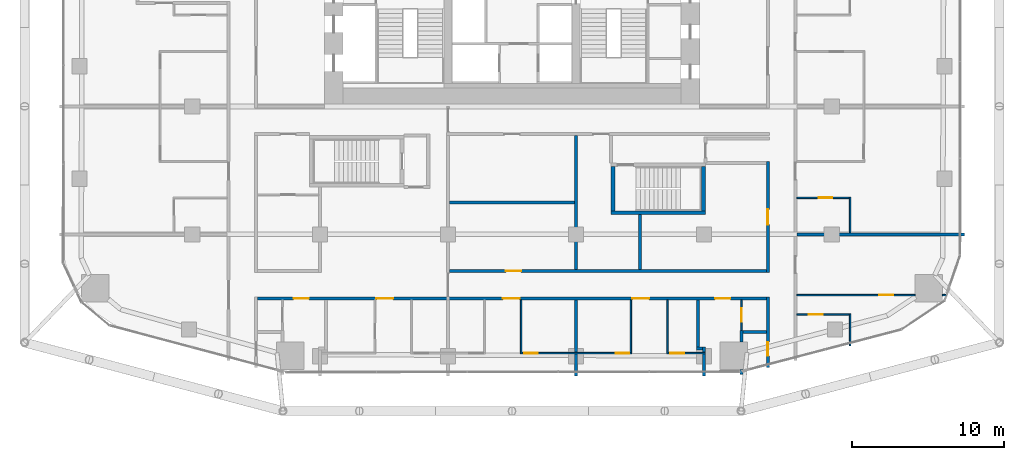
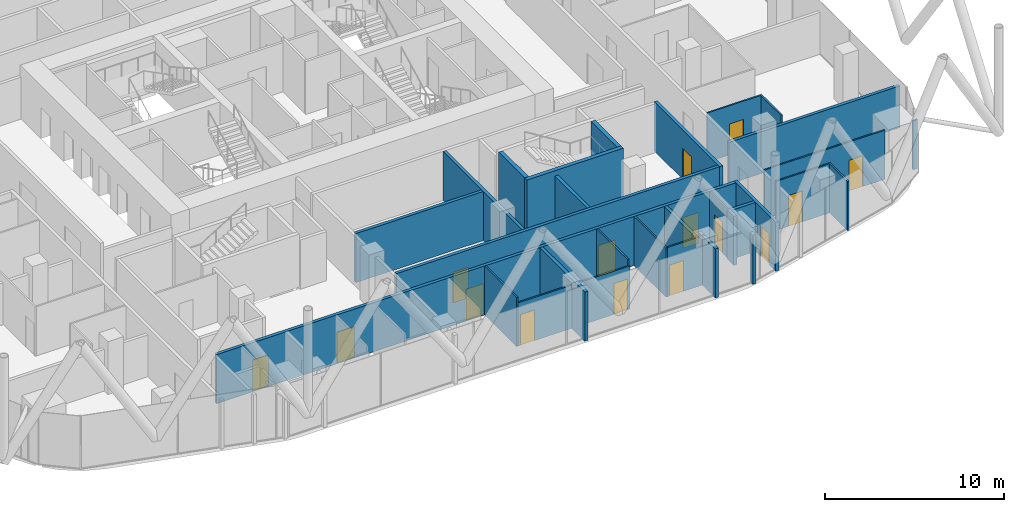
# One storey, part 26 of 34: 30 walls, 15 doors, 15 openings.
"""IFC4 building model written with IfcOpenShell, lengths in metres."""

from ifc_helpers import new_model, si_unit, direction, frame, frame_2d, origin, place, context, subcontext, project, spatial, rectangle, extrude, material, layer, layer_set, type_object, element, fill, save


model = new_model("IFC4")

# Units and contexts
model_context = context("Model", 3, precision=1e-05, world=origin(), true_north=direction((0.0, 1.0)))
body_context = subcontext(model_context, "Body", "Model", "MODEL_VIEW")
ifc_project = project(units=[si_unit("LENGTHUNIT", "METRE"), si_unit("AREAUNIT", "SQUARE_METRE"), si_unit("VOLUMEUNIT", "CUBIC_METRE"), si_unit("PLANEANGLEUNIT", "RADIAN"), si_unit("MASSUNIT", "GRAM", prefix="KILO")], contexts=[model_context])

# Site, building, storey
site_placement = place(None, origin())
site = spatial("IfcSite", under=ifc_project, at=site_placement, CompositionType="ELEMENT")
building_placement = place(site_placement, origin())
building = spatial("IfcBuilding", under=site, at=building_placement, Name="Marenta Gate Hotel Tower", CompositionType="ELEMENT")
storey_placement = place(building_placement, frame((0.0, 0.0, 47.300048828125)))
storey = spatial("IfcBuildingStorey", under=building, at=storey_placement, Name="L09", CompositionType="ELEMENT", Elevation=47.300048828125)

# Walls
ifc_material_1 = material(Name="Concrete C40", Category="concrete")
ifc_layer_1 = layer(ifc_material_1, 0.25)
ifc_layer_set_1 = layer_set([ifc_layer_1], Name="Concrete C40")
wall_type_1 = type_object("IfcWallType", Name="Remote stair enclosure wall 250 REI 180", PredefinedType="SHEAR", material=ifc_layer_set_1)
wall_1_placement = place(storey_placement, frame((6.5, -6.97509765625, 0.099853515625), z_axis=(0.0, 0.0, 1.0), x_axis=(1.0, 0.0, 0.0)))
element("IfcWall", 1, at=wall_1_placement, inside=storey, type_object=wall_type_1, Name="L09-RS-Z1-1-W1", PredefinedType="SHEAR", context=body_context, shape_type="SweptSolid", body=[
    extrude(rectangle(XDim=6.199951171875, YDim=0.25, at=frame_2d((3.10009765625, 0.0))), origin(), (0.0, 0.0, 1.0), 3.60009765625),
])
for number, where, z_axis, x_axis, name in (
    (2, (6.625, -6.85009765625, 0.099853515625), (0.0, 0.0, 1.0), (0.0, 1.0, 0.0), "L09-RS-Z1-1-W3"),
    (3, (12.574951171875, -6.85009765625, 0.099853515625), (0.0, 0.0, 1.0), (0.0, 1.0, 0.0), "L09-RS-Z1-1-W4"),
):
    element("IfcWall", number, at=place(storey_placement, frame(where, z_axis=z_axis, x_axis=x_axis)), inside=storey, type_object=wall_type_1, Name=name, PredefinedType="SHEAR", context=body_context, shape_type="SweptSolid", body=[
        extrude(rectangle(XDim=2.900146484375, YDim=0.25, at=frame_2d((1.4501953125, 0.0))), origin(), (0.0, 0.0, 1.0), 3.60009765625),
    ])

# Wall, opening, door
ifc_material_2 = material(Name="Concrete blockwork", Category="masonry")
ifc_layer_2 = layer(ifc_material_2, 0.199951171875)
ifc_layer_set_2 = layer_set([ifc_layer_2], Name="Concrete blockwork")
wall_type_2 = type_object("IfcWallType", Name="Room corridor wall 200 EI 120", PredefinedType="PARTITIONING", material=ifc_layer_set_2)
wall_2_placement = place(storey_placement, frame((16.800048828125, -17.14306640625, 0.0), z_axis=(0.0, 0.0, 1.0), x_axis=(0.0, 1.0, 0.0)))
wall_2 = element("IfcWall", 4, at=wall_2_placement, inside=storey, type_object=wall_type_2, Name="L09-PTN-W012", PredefinedType="PARTITIONING", context=body_context, shape_type="SweptSolid", body=[
    extrude(rectangle(XDim=4.64306640625, YDim=0.199951171875, at=frame_2d((2.321533203125, 0.0))), origin(), (0.0, 0.0, 1.0), 3.33984375),
])
opening_1_placement = place(wall_2_placement, frame((0.77099609375, 0.0, 0.0)))
opening_1 = element("IfcOpeningElement", 5, at=opening_1_placement, cuts=wall_2, Name="Opening G03-75", PredefinedType="OPENING", context=body_context, shape_type="SweptSolid", body=[
    extrude(rectangle(XDim=0.89990234375, YDim=2.10009765625, at=frame_2d((0.449951171875, 1.050048828125))), frame((0.0, 0.10009765625, 0.0), z_axis=(0.0, -1.0, 0.0), x_axis=(1.0, 0.0, 0.0)), (0.0, 0.0, 1.0), 0.199951171875),
])
ifc_material_3 = material(Name="Hollow steel door set", Category="steel")
door_type_1 = type_object("IfcDoorType", Name="Room service door 900x2100 EI 60", OperationType="NOTDEFINED", PredefinedType="DOOR", material=ifc_material_3)
door_1_placement = place(opening_1_placement, origin())
door_1 = element("IfcDoor", 6, at=door_1_placement, inside=storey, type_object=door_type_1, Name="L09-PD-D075", OperationType="SINGLE_SWING_RIGHT", OverallHeight=2.10009765625, OverallWidth=0.89990234375, PredefinedType="DOOR", context=body_context, shape_type="SweptSolid", body=[
    extrude(rectangle(XDim=0.89990234375, YDim=2.10009765625, at=frame_2d((0.449951171875, 1.050048828125))), frame((0.0, 0.02490234375, 0.0), z_axis=(0.0, -1.0, 0.0), x_axis=(1.0, 0.0, 0.0)), (0.0, 0.0, 1.0), 0.050048828125),
])
fill(opening_1, door_1)

ifc_material_4 = material(Name="Gypsum board on steel stud", Category="steel")
ifc_layer_3 = layer(ifc_material_4, 0.199951171875)
ifc_layer_set_3 = layer_set([ifc_layer_3], Name="Gypsum board on steel stud")
wall_type_3 = type_object("IfcWallType", Name="Room corridor wall 200 EI 60", PredefinedType="PARTITIONING", material=ifc_layer_set_3)
wall_3_placement = place(storey_placement, frame((16.800048828125, -10.89990234375, 0.0), z_axis=(0.0, 0.0, 1.0), x_axis=(0.0, 1.0, 0.0)))
wall_3 = element("IfcWall", 7, at=wall_3_placement, inside=storey, type_object=wall_type_3, Name="L09-PTN-W013", PredefinedType="PARTITIONING", context=body_context, shape_type="SweptSolid", body=[
    extrude(rectangle(XDim=7.2998046875, YDim=0.199951171875, at=frame_2d((3.64990234375, 0.0))), origin(), (0.0, 0.0, 1.0), 3.33984375),
])
opening_2_placement = place(wall_3_placement, frame((3.14990234375, 0.0, 0.0)))
opening_2 = element("IfcOpeningElement", 8, at=opening_2_placement, cuts=wall_3, Name="Opening G03-63", PredefinedType="OPENING", context=body_context, shape_type="SweptSolid", body=[
    extrude(rectangle(XDim=1.0, YDim=2.10009765625, at=frame_2d((0.5, 1.050048828125))), frame((0.0, 0.10009765625, 0.0), z_axis=(0.0, -1.0, 0.0), x_axis=(1.0, 0.0, 0.0)), (0.0, 0.0, 1.0), 0.199951171875),
])
ifc_material_5 = material(Name="Timber door leaf", Category="wood")
door_type_2 = type_object("IfcDoorType", Name="Room amenity door 1000x2100 EI 30", OperationType="NOTDEFINED", PredefinedType="DOOR", material=ifc_material_5)
door_2_placement = place(opening_2_placement, origin())
door_2 = element("IfcDoor", 9, at=door_2_placement, inside=storey, type_object=door_type_2, Name="L09-PD-D063", OperationType="SINGLE_SWING_LEFT", OverallHeight=2.10009765625, OverallWidth=1.0, PredefinedType="DOOR", context=body_context, shape_type="SweptSolid", body=[
    extrude(rectangle(XDim=1.0, YDim=2.10009765625, at=frame_2d((0.5, 1.050048828125))), frame((0.0, 0.02490234375, 0.0), z_axis=(0.0, -1.0, 0.0), x_axis=(1.0, 0.0, 0.0)), (0.0, 0.0, 1.0), 0.050048828125),
])
fill(opening_2, door_2)

# Wall, openings, doors
wall_4_placement = place(storey_placement, frame((-16.699951171875, -12.60009765625, 0.0), z_axis=(0.0, 0.0, 1.0), x_axis=(1.0, 0.0, 0.0)))
wall_4 = element("IfcWall", 10, at=wall_4_placement, inside=storey, type_object=wall_type_3, Name="L09-PTN-W028", PredefinedType="PARTITIONING", context=body_context, shape_type="SweptSolid", body=[
    extrude(rectangle(XDim=33.39990234375, YDim=0.199951171875, at=frame_2d((16.699951171875, 0.0))), origin(), (0.0, 0.0, 1.0), 3.33984375),
])
opening_3_placement = place(wall_4_placement, frame((7.800048828125, 0.0, 0.0)))
opening_3 = element("IfcOpeningElement", 11, at=opening_3_placement, cuts=wall_4, Name="Opening G03-36", PredefinedType="OPENING", context=body_context, shape_type="SweptSolid", body=[
    extrude(rectangle(XDim=1.10009765625, YDim=2.10009765625, at=frame_2d((0.550048828125, 1.050048828125))), frame((0.0, 0.10009765625, 0.0), z_axis=(0.0, -1.0, 0.0), x_axis=(1.0, 0.0, 0.0)), (0.0, 0.0, 1.0), 0.199951171875),
])
opening_4_placement = place(wall_4_placement, frame((16.10009765625, 0.0, 0.0)))
opening_4 = element("IfcOpeningElement", 12, at=opening_4_placement, cuts=wall_4, Name="Opening G03-39", PredefinedType="OPENING", context=body_context, shape_type="SweptSolid", body=[
    extrude(rectangle(XDim=1.10009765625, YDim=2.10009765625, at=frame_2d((0.550048828125, 1.050048828125))), frame((0.0, 0.10009765625, 0.0), z_axis=(0.0, -1.0, 0.0), x_axis=(1.0, 0.0, 0.0)), (0.0, 0.0, 1.0), 0.199951171875),
])
opening_5_placement = place(wall_4_placement, frame((24.60009765625, 0.0, 0.0)))
opening_5 = element("IfcOpeningElement", 13, at=opening_5_placement, cuts=wall_4, Name="Opening G03-42", PredefinedType="OPENING", context=body_context, shape_type="SweptSolid", body=[
    extrude(rectangle(XDim=1.10009765625, YDim=2.10009765625, at=frame_2d((0.550048828125, 1.050048828125))), frame((0.0, 0.10009765625, 0.0), z_axis=(0.0, -1.0, 0.0), x_axis=(1.0, 0.0, 0.0)), (0.0, 0.0, 1.0), 0.199951171875),
])
opening_6_placement = place(wall_4_placement, frame((2.366943359375, 0.0, 0.0)))
opening_6 = element("IfcOpeningElement", 14, at=opening_6_placement, cuts=wall_4, Name="Opening G03-70", PredefinedType="OPENING", context=body_context, shape_type="SweptSolid", body=[
    extrude(rectangle(XDim=1.0, YDim=2.10009765625, at=frame_2d((0.5, 1.050048828125))), frame((0.0, 0.10009765625, 0.0), z_axis=(0.0, -1.0, 0.0), x_axis=(1.0, 0.0, 0.0)), (0.0, 0.0, 1.0), 0.199951171875),
])
opening_7_placement = place(wall_4_placement, frame((30.032958984375, 0.0, 0.0)))
opening_7 = element("IfcOpeningElement", 15, at=opening_7_placement, cuts=wall_4, Name="Opening G03-73", PredefinedType="OPENING", context=body_context, shape_type="SweptSolid", body=[
    extrude(rectangle(XDim=1.0, YDim=2.10009765625, at=frame_2d((0.5, 1.050048828125))), frame((0.0, 0.10009765625, 0.0), z_axis=(0.0, -1.0, 0.0), x_axis=(1.0, 0.0, 0.0)), (0.0, 0.0, 1.0), 0.199951171875),
])
ifc_material_6 = material(Name="Timber door leaf", Category="wood")
door_type_3 = type_object("IfcDoorType", Name="Guest room door 1000x2100 EI 30", OperationType="NOTDEFINED", PredefinedType="DOOR", material=ifc_material_6)
door_3_placement = place(opening_6_placement, origin())
door_3 = element("IfcDoor", 16, at=door_3_placement, inside=storey, type_object=door_type_3, Name="L09-PD-D070", OperationType="SINGLE_SWING_RIGHT", OverallHeight=2.10009765625, OverallWidth=1.0, PredefinedType="DOOR", context=body_context, shape_type="SweptSolid", body=[
    extrude(rectangle(XDim=1.0, YDim=2.10009765625, at=frame_2d((0.5, 1.050048828125))), frame((0.0, 0.02490234375, 0.0), z_axis=(0.0, -1.0, 0.0), x_axis=(1.0, 0.0, 0.0)), (0.0, 0.0, 1.0), 0.050048828125),
])
fill(opening_6, door_3)
door_4_placement = place(opening_7_placement, origin())
door_4 = element("IfcDoor", 17, at=door_4_placement, inside=storey, type_object=door_type_3, Name="L09-PD-D073", OperationType="SINGLE_SWING_LEFT", OverallHeight=2.10009765625, OverallWidth=1.0, PredefinedType="DOOR", context=body_context, shape_type="SweptSolid", body=[
    extrude(rectangle(XDim=1.0, YDim=2.10009765625, at=frame_2d((0.5, 1.050048828125))), frame((0.0, 0.02490234375, 0.0), z_axis=(0.0, -1.0, 0.0), x_axis=(1.0, 0.0, 0.0)), (0.0, 0.0, 1.0), 0.050048828125),
])
fill(opening_7, door_4)
ifc_material_7 = material(Name="Timber door leaf", Category="wood")
door_type_4 = type_object("IfcDoorType", Name="Guest room door 1100x2100 EI 30", OperationType="NOTDEFINED", PredefinedType="DOOR", material=ifc_material_7)
door_5_placement = place(opening_3_placement, origin())
door_5 = element("IfcDoor", 18, at=door_5_placement, inside=storey, type_object=door_type_4, Name="L09-PD-D036", OperationType="SINGLE_SWING_RIGHT", OverallHeight=2.10009765625, OverallWidth=1.10009765625, PredefinedType="DOOR", context=body_context, shape_type="SweptSolid", body=[
    extrude(rectangle(XDim=1.10009765625, YDim=2.10009765625, at=frame_2d((0.550048828125, 1.050048828125))), frame((0.0, 0.02490234375, 0.0), z_axis=(0.0, -1.0, 0.0), x_axis=(1.0, 0.0, 0.0)), (0.0, 0.0, 1.0), 0.050048828125),
])
fill(opening_3, door_5)
door_6_placement = place(opening_4_placement, origin())
door_6 = element("IfcDoor", 19, at=door_6_placement, inside=storey, type_object=door_type_4, Name="L09-PD-D039", OperationType="SINGLE_SWING_LEFT", OverallHeight=2.10009765625, OverallWidth=1.10009765625, PredefinedType="DOOR", context=body_context, shape_type="SweptSolid", body=[
    extrude(rectangle(XDim=1.10009765625, YDim=2.10009765625, at=frame_2d((0.550048828125, 1.050048828125))), frame((0.0, 0.02490234375, 0.0), z_axis=(0.0, -1.0, 0.0), x_axis=(1.0, 0.0, 0.0)), (0.0, 0.0, 1.0), 0.050048828125),
])
fill(opening_4, door_6)
door_7_placement = place(opening_5_placement, origin())
door_7 = element("IfcDoor", 20, at=door_7_placement, inside=storey, type_object=door_type_4, Name="L09-PD-D042", OperationType="SINGLE_SWING_RIGHT", OverallHeight=2.10009765625, OverallWidth=1.10009765625, PredefinedType="DOOR", context=body_context, shape_type="SweptSolid", body=[
    extrude(rectangle(XDim=1.10009765625, YDim=2.10009765625, at=frame_2d((0.550048828125, 1.050048828125))), frame((0.0, 0.02490234375, 0.0), z_axis=(0.0, -1.0, 0.0), x_axis=(1.0, 0.0, 0.0)), (0.0, 0.0, 1.0), 0.050048828125),
])
fill(opening_5, door_7)

# Wall, opening, door
wall_5_placement = place(storey_placement, frame((-4.10009765625, -10.800048828125, 0.0), z_axis=(0.0, 0.0, 1.0), x_axis=(1.0, 0.0, 0.0)))
wall_5 = element("IfcWall", 21, at=wall_5_placement, inside=storey, type_object=wall_type_3, Name="L09-PTN-W032", PredefinedType="PARTITIONING", context=body_context, shape_type="SweptSolid", body=[
    extrude(rectangle(XDim=20.800048828125, YDim=0.199951171875, at=frame_2d((10.39990234375, 0.0))), origin(), (0.0, 0.0, 1.0), 3.33984375),
])
opening_8_placement = place(wall_5_placement, frame((3.699951171875, 0.0, 0.0)))
opening_8 = element("IfcOpeningElement", 22, at=opening_8_placement, cuts=wall_5, Name="Opening G03-66", PredefinedType="OPENING", context=body_context, shape_type="SweptSolid", body=[
    extrude(rectangle(XDim=1.0, YDim=2.10009765625, at=frame_2d((0.5, 1.050048828125))), frame((0.0, 0.10009765625, 0.0), z_axis=(0.0, -1.0, 0.0), x_axis=(1.0, 0.0, 0.0)), (0.0, 0.0, 1.0), 0.199951171875),
])
door_8_placement = place(opening_8_placement, origin())
door_8 = element("IfcDoor", 23, at=door_8_placement, inside=storey, type_object=door_type_2, Name="L09-PD-D066", OperationType="SINGLE_SWING_RIGHT", OverallHeight=2.10009765625, OverallWidth=1.0, PredefinedType="DOOR", context=body_context, shape_type="SweptSolid", body=[
    extrude(rectangle(XDim=1.0, YDim=2.10009765625, at=frame_2d((0.5, 1.050048828125))), frame((0.0, 0.02490234375, 0.0), z_axis=(0.0, -1.0, 0.0), x_axis=(1.0, 0.0, 0.0)), (0.0, 0.0, 1.0), 0.050048828125),
])
fill(opening_8, door_8)

# Walls
ifc_material_8 = material(Name="Gypsum board on steel stud", Category="steel")
ifc_layer_4 = layer(ifc_material_8, 0.10009765625)
ifc_layer_set_4 = layer_set([ifc_layer_4], Name="Gypsum board on steel stud")
wall_type_4 = type_object("IfcWallType", Name="Room partition 100", PredefinedType="PARTITIONING", material=ifc_layer_set_4)
wall_6_placement = place(storey_placement, frame((22.199951171875, -15.7099609375, 0.0), z_axis=(0.0, 0.0, 1.0), x_axis=(0.0, 1.0, 0.0)))
element("IfcWall", 24, at=wall_6_placement, inside=storey, type_object=wall_type_4, Name="L09-PTN-W004", PredefinedType="PARTITIONING", context=body_context, shape_type="SweptSolid", body=[
    extrude(rectangle(XDim=2.094970703125, YDim=0.10009765625, at=frame_2d((1.04736328125, 0.0))), origin(), (0.0, 0.0, 1.0), 3.33984375),
])
wall_7_placement = place(storey_placement, frame((22.199951171875, -8.300048828125, 0.0), z_axis=(0.0, 0.0, 1.0), x_axis=(0.0, 1.0, 0.0)))
element("IfcWall", 25, at=wall_7_placement, inside=storey, type_object=wall_type_4, Name="L09-PTN-W005", PredefinedType="PARTITIONING", context=body_context, shape_type="SweptSolid", body=[
    extrude(rectangle(XDim=2.35009765625, YDim=0.10009765625, at=frame_2d((1.175048828125, 0.0))), origin(), (0.0, 0.0, 1.0), 3.33984375),
])

# Wall, openings, doors
wall_8_placement = place(storey_placement, frame((0.64990234375, -16.199951171875, 0.0), z_axis=(0.0, 0.0, 1.0), x_axis=(1.0, 0.0, 0.0)))
wall_8 = element("IfcWall", 26, at=wall_8_placement, inside=storey, type_object=wall_type_4, Name="L09-PTN-W017", PredefinedType="PARTITIONING", context=body_context, shape_type="SweptSolid", body=[
    extrude(rectangle(XDim=7.2001953125, YDim=0.10009765625, at=frame_2d((3.60009765625, 0.0))), origin(), (0.0, 0.0, 1.0), 2.93994140625),
])
opening_9_placement = place(wall_8_placement, frame((0.14990234375, 0.0, 0.0)))
opening_9 = element("IfcOpeningElement", 27, at=opening_9_placement, cuts=wall_8, Name="Opening G03-40", PredefinedType="OPENING", context=body_context, shape_type="SweptSolid", body=[
    extrude(rectangle(XDim=0.89990234375, YDim=2.10009765625, at=frame_2d((0.449951171875, 1.050048828125))), frame((0.0, 0.050048828125, 0.0), z_axis=(0.0, -1.0, 0.0), x_axis=(1.0, 0.0, 0.0)), (0.0, 0.0, 1.0), 0.10009765625),
])
opening_10_placement = place(wall_8_placement, frame((6.14990234375, 0.0, 0.0)))
opening_10 = element("IfcOpeningElement", 28, at=opening_10_placement, cuts=wall_8, Name="Opening G03-43", PredefinedType="OPENING", context=body_context, shape_type="SweptSolid", body=[
    extrude(rectangle(XDim=0.89990234375, YDim=2.10009765625, at=frame_2d((0.449951171875, 1.050048828125))), frame((0.0, 0.050048828125, 0.0), z_axis=(0.0, -1.0, 0.0), x_axis=(1.0, 0.0, 0.0)), (0.0, 0.0, 1.0), 0.10009765625),
])
ifc_material_9 = material(Name="Timber door leaf", Category="wood")
door_type_5 = type_object("IfcDoorType", Name="Guest bathroom door 900x2100", OperationType="NOTDEFINED", PredefinedType="DOOR", material=ifc_material_9)
door_9_placement = place(opening_9_placement, origin())
door_9 = element("IfcDoor", 29, at=door_9_placement, inside=storey, type_object=door_type_5, Name="L09-PD-D040", OperationType="SINGLE_SWING_LEFT", OverallHeight=2.10009765625, OverallWidth=0.89990234375, PredefinedType="DOOR", context=body_context, shape_type="SweptSolid", body=[
    extrude(rectangle(XDim=0.89990234375, YDim=2.10009765625, at=frame_2d((0.449951171875, 1.050048828125))), frame((0.0, 0.02490234375, 0.0), z_axis=(0.0, -1.0, 0.0), x_axis=(1.0, 0.0, 0.0)), (0.0, 0.0, 1.0), 0.050048828125),
])
fill(opening_9, door_9)
door_10_placement = place(opening_10_placement, origin())
door_10 = element("IfcDoor", 30, at=door_10_placement, inside=storey, type_object=door_type_5, Name="L09-PD-D043", OperationType="SINGLE_SWING_RIGHT", OverallHeight=2.10009765625, OverallWidth=0.89990234375, PredefinedType="DOOR", context=body_context, shape_type="SweptSolid", body=[
    extrude(rectangle(XDim=0.89990234375, YDim=2.10009765625, at=frame_2d((0.449951171875, 1.050048828125))), frame((0.0, 0.02490234375, 0.0), z_axis=(0.0, -1.0, 0.0), x_axis=(1.0, 0.0, 0.0)), (0.0, 0.0, 1.0), 0.050048828125),
])
fill(opening_10, door_10)

# Wall, opening, door
wall_9_placement = place(storey_placement, frame((10.25, -16.199951171875, 0.0), z_axis=(0.0, 0.0, 1.0), x_axis=(1.0, 0.0, 0.0)))
wall_9 = element("IfcWall", 31, at=wall_9_placement, inside=storey, type_object=wall_type_4, Name="L09-PTN-W018", PredefinedType="PARTITIONING", context=body_context, shape_type="SweptSolid", body=[
    extrude(rectangle(XDim=2.449951171875, YDim=0.10009765625, at=frame_2d((1.22509765625, 0.0))), origin(), (0.0, 0.0, 1.0), 3.33984375),
])
opening_11_placement = place(wall_9_placement, frame((0.14990234375, 0.0, 0.0)))
opening_11 = element("IfcOpeningElement", 32, at=opening_11_placement, cuts=wall_9, Name="Opening G03-44", PredefinedType="OPENING", context=body_context, shape_type="SweptSolid", body=[
    extrude(rectangle(XDim=0.89990234375, YDim=2.10009765625, at=frame_2d((0.449951171875, 1.050048828125))), frame((0.0, 0.050048828125, 0.0), z_axis=(0.0, -1.0, 0.0), x_axis=(1.0, 0.0, 0.0)), (0.0, 0.0, 1.0), 0.10009765625),
])
ifc_material_10 = material(Name="Timber door leaf", Category="wood")
door_type_6 = type_object("IfcDoorType", Name="Room inner door 900x2100", OperationType="NOTDEFINED", PredefinedType="DOOR", material=ifc_material_10)
door_11_placement = place(opening_11_placement, origin())
door_11 = element("IfcDoor", 33, at=door_11_placement, inside=storey, type_object=door_type_6, Name="L09-PD-D044", OperationType="SINGLE_SWING_LEFT", OverallHeight=2.10009765625, OverallWidth=0.89990234375, PredefinedType="DOOR", context=body_context, shape_type="SweptSolid", body=[
    extrude(rectangle(XDim=0.89990234375, YDim=2.10009765625, at=frame_2d((0.449951171875, 1.050048828125))), frame((0.0, 0.02490234375, 0.0), z_axis=(0.0, -1.0, 0.0), x_axis=(1.0, 0.0, 0.0)), (0.0, 0.0, 1.0), 0.050048828125),
])
fill(opening_11, door_11)

wall_10_placement = place(storey_placement, frame((15.06591796875, -14.89990234375, 0.0), z_axis=(0.0, 0.0, 1.0), x_axis=(0.0, 1.0, 0.0)))
wall_10 = element("IfcWall", 34, at=wall_10_placement, inside=storey, type_object=wall_type_4, Name="L09-PTN-W022", PredefinedType="PARTITIONING", context=body_context, shape_type="SweptSolid", body=[
    extrude(rectangle(XDim=2.199951171875, YDim=0.10009765625, at=frame_2d((1.10009765625, 0.0))), origin(), (0.0, 0.0, 1.0), 3.33984375),
])
opening_12_placement = place(wall_10_placement, frame((0.75, 0.0, 0.0)))
opening_12 = element("IfcOpeningElement", 35, at=opening_12_placement, cuts=wall_10, Name="Opening G03-74", PredefinedType="OPENING", context=body_context, shape_type="SweptSolid", body=[
    extrude(rectangle(XDim=0.89990234375, YDim=2.10009765625, at=frame_2d((0.449951171875, 1.050048828125))), frame((0.0, 0.050048828125, 0.0), z_axis=(0.0, -1.0, 0.0), x_axis=(1.0, 0.0, 0.0)), (0.0, 0.0, 1.0), 0.10009765625),
])
door_12_placement = place(opening_12_placement, origin())
door_12 = element("IfcDoor", 36, at=door_12_placement, inside=storey, type_object=door_type_5, Name="L09-PD-D074", OperationType="SINGLE_SWING_RIGHT", OverallHeight=2.10009765625, OverallWidth=0.89990234375, PredefinedType="DOOR", context=body_context, shape_type="SweptSolid", body=[
    extrude(rectangle(XDim=0.89990234375, YDim=2.10009765625, at=frame_2d((0.449951171875, 1.050048828125))), frame((0.0, 0.02490234375, 0.0), z_axis=(0.0, -1.0, 0.0), x_axis=(1.0, 0.0, 0.0)), (0.0, 0.0, 1.0), 0.050048828125),
])
fill(opening_12, door_12)

wall_11_placement = place(storey_placement, frame((18.699951171875, -13.6650390625, 0.0), z_axis=(0.0, 0.0, 1.0), x_axis=(1.0, 0.0, 0.0)))
wall_11 = element("IfcWall", 37, at=wall_11_placement, inside=storey, type_object=wall_type_4, Name="L09-PTN-W025", PredefinedType="PARTITIONING", context=body_context, shape_type="SweptSolid", body=[
    extrude(rectangle(XDim=3.449951171875, YDim=0.10009765625, at=frame_2d((1.72509765625, 0.0))), origin(), (0.0, 0.0, 1.0), 3.33984375),
])
opening_13_placement = place(wall_11_placement, frame((0.800048828125, 0.0, 0.0)))
opening_13 = element("IfcOpeningElement", 38, at=opening_13_placement, cuts=wall_11, Name="Opening G03-09", PredefinedType="OPENING", context=body_context, shape_type="SweptSolid", body=[
    extrude(rectangle(XDim=0.89990234375, YDim=2.10009765625, at=frame_2d((0.449951171875, 1.050048828125))), frame((0.0, 0.050048828125, 0.0), z_axis=(0.0, -1.0, 0.0), x_axis=(1.0, 0.0, 0.0)), (0.0, 0.0, 1.0), 0.10009765625),
])
door_13_placement = place(opening_13_placement, origin())
door_13 = element("IfcDoor", 39, at=door_13_placement, inside=storey, type_object=door_type_5, Name="L09-PD-D009", OperationType="SINGLE_SWING_LEFT", OverallHeight=2.10009765625, OverallWidth=0.89990234375, PredefinedType="DOOR", context=body_context, shape_type="SweptSolid", body=[
    extrude(rectangle(XDim=0.89990234375, YDim=2.10009765625, at=frame_2d((0.449951171875, 1.050048828125))), frame((0.0, 0.02490234375, 0.0), z_axis=(0.0, -1.0, 0.0), x_axis=(1.0, 0.0, 0.0)), (0.0, 0.0, 1.0), 0.050048828125),
])
fill(opening_13, door_13)

wall_12_placement = place(storey_placement, frame((18.699951171875, -12.383056640625, 0.0), z_axis=(0.0, 0.0, 1.0), x_axis=(1.0, 0.0, 0.0)))
wall_12 = element("IfcWall", 40, at=wall_12_placement, inside=storey, type_object=wall_type_4, Name="L09-PTN-W029", PredefinedType="PARTITIONING", context=body_context, shape_type="SweptSolid", body=[
    extrude(rectangle(XDim=7.762939453125, YDim=0.10009765625, at=frame_2d((3.88134765625, 0.0))), origin(), (0.0, 0.0, 1.0), 3.33984375),
])
opening_14_placement = place(wall_12_placement, frame((5.429931640625, 0.0, 0.0)))
opening_14 = element("IfcOpeningElement", 41, at=opening_14_placement, cuts=wall_12, Name="Opening G03-08", PredefinedType="OPENING", context=body_context, shape_type="SweptSolid", body=[
    extrude(rectangle(XDim=0.89990234375, YDim=2.10009765625, at=frame_2d((0.449951171875, 1.050048828125))), frame((0.0, 0.050048828125, 0.0), z_axis=(0.0, -1.0, 0.0), x_axis=(1.0, 0.0, 0.0)), (0.0, 0.0, 1.0), 0.10009765625),
])
door_14_placement = place(opening_14_placement, origin())
door_14 = element("IfcDoor", 42, at=door_14_placement, inside=storey, type_object=door_type_6, Name="L09-PD-D008", OperationType="SINGLE_SWING_LEFT", OverallHeight=2.10009765625, OverallWidth=0.89990234375, PredefinedType="DOOR", context=body_context, shape_type="SweptSolid", body=[
    extrude(rectangle(XDim=0.89990234375, YDim=2.10009765625, at=frame_2d((0.449951171875, 1.050048828125))), frame((0.0, 0.02490234375, 0.0), z_axis=(0.0, -1.0, 0.0), x_axis=(1.0, 0.0, 0.0)), (0.0, 0.0, 1.0), 0.050048828125),
])
fill(opening_14, door_14)

# Walls
wall_13_placement = place(storey_placement, frame((28.262939453125, -12.383056640625, 0.0), z_axis=(0.0, 0.0, 1.0), x_axis=(1.0, 0.0, 0.0)))
element("IfcWall", 43, at=wall_13_placement, inside=storey, type_object=wall_type_4, Name="L09-PTN-W138", PredefinedType="PARTITIONING", context=body_context, shape_type="SweptSolid", body=[
    extrude(rectangle(XDim=0.2900390625, YDim=0.10009765625, at=frame_2d((0.14501953125, 0.0))), origin(), (0.0, 0.0, 1.0), 3.33984375),
])
wall_14_placement = place(storey_placement, frame((10.199951171875, -16.25, 0.0), z_axis=(0.0, 0.0, 1.0), x_axis=(0.0, 1.0, 0.0)))
element("IfcWall", 44, at=wall_14_placement, inside=storey, type_object=wall_type_4, Name="L09-PTN-W033", PredefinedType="PARTITIONING", context=body_context, shape_type="SweptSolid", body=[
    extrude(rectangle(XDim=3.550048828125, YDim=0.10009765625, at=frame_2d((1.77490234375, 0.0))), origin(), (0.0, 0.0, 1.0), 3.33984375),
])
wall_15_placement = place(storey_placement, frame((7.800048828125, -16.14990234375, 0.0), z_axis=(0.0, 0.0, 1.0), x_axis=(0.0, 1.0, 0.0)))
element("IfcWall", 45, at=wall_15_placement, inside=storey, type_object=wall_type_4, Name="L09-PTN-W039", PredefinedType="PARTITIONING", context=body_context, shape_type="SweptSolid", body=[
    extrude(rectangle(XDim=3.449951171875, YDim=0.10009765625, at=frame_2d((1.72509765625, 0.0))), origin(), (0.0, 0.0, 1.0), 3.33984375),
])

# Wall, opening, door
wall_16_placement = place(storey_placement, frame((18.699951171875, -6.0, 0.0), z_axis=(0.0, 0.0, 1.0), x_axis=(1.0, 0.0, 0.0)))
wall_16 = element("IfcWall", 46, at=wall_16_placement, inside=storey, type_object=wall_type_4, Name="L09-PTN-W043", PredefinedType="PARTITIONING", context=body_context, shape_type="SweptSolid", body=[
    extrude(rectangle(XDim=3.449951171875, YDim=0.10009765625, at=frame_2d((1.72509765625, 0.0))), origin(), (0.0, 0.0, 1.0), 3.33984375),
])
opening_15_placement = place(wall_16_placement, frame((1.429931640625, 0.0, 0.0)))
opening_15 = element("IfcOpeningElement", 47, at=opening_15_placement, cuts=wall_16, Name="Opening G03-12", PredefinedType="OPENING", context=body_context, shape_type="SweptSolid", body=[
    extrude(rectangle(XDim=0.89990234375, YDim=2.10009765625, at=frame_2d((0.449951171875, 1.050048828125))), frame((0.0, 0.050048828125, 0.0), z_axis=(0.0, -1.0, 0.0), x_axis=(1.0, 0.0, 0.0)), (0.0, 0.0, 1.0), 0.10009765625),
])
door_15_placement = place(opening_15_placement, origin())
door_15 = element("IfcDoor", 48, at=door_15_placement, inside=storey, type_object=door_type_6, Name="L09-PD-D012", OperationType="SINGLE_SWING_LEFT", OverallHeight=2.10009765625, OverallWidth=0.89990234375, PredefinedType="DOOR", context=body_context, shape_type="SweptSolid", body=[
    extrude(rectangle(XDim=0.89990234375, YDim=2.10009765625, at=frame_2d((0.449951171875, 1.050048828125))), frame((0.0, 0.02490234375, 0.0), z_axis=(0.0, -1.0, 0.0), x_axis=(1.0, 0.0, 0.0)), (0.0, 0.0, 1.0), 0.050048828125),
])
fill(opening_15, door_15)

# Walls
wall_17_placement = place(storey_placement, frame((0.60009765625, -16.25, 0.0), z_axis=(0.0, 0.0, 1.0), x_axis=(0.0, 1.0, 0.0)))
element("IfcWall", 49, at=wall_17_placement, inside=storey, type_object=wall_type_4, Name="L09-PTN-W060", PredefinedType="PARTITIONING", context=body_context, shape_type="SweptSolid", body=[
    extrude(rectangle(XDim=3.550048828125, YDim=0.10009765625, at=frame_2d((1.77490234375, 0.0))), origin(), (0.0, 0.0, 1.0), 3.33984375),
])
ifc_material_11 = material(Name="Concrete blockwork", Category="masonry")
ifc_layer_5 = layer(ifc_material_11, 0.199951171875)
ifc_layer_set_5 = layer_set([ifc_layer_5], Name="Concrete blockwork")
wall_type_5 = type_object("IfcWallType", Name="Room party wall 200 EI 120", PredefinedType="PARTITIONING", material=ifc_layer_set_5)
wall_18_placement = place(storey_placement, frame((15.06591796875, -17.593017578125, 0.0), z_axis=(0.0, 0.0, 1.0), x_axis=(0.0, 1.0, 0.0)))
element("IfcWall", 50, at=wall_18_placement, inside=storey, type_object=wall_type_5, Name="L09-PTN-W021", PredefinedType="PARTITIONING", context=body_context, shape_type="SweptSolid", body=[
    extrude(rectangle(XDim=0.318115234375, YDim=0.199951171875, at=frame_2d((0.1591796875, 0.0))), origin(), (0.0, 0.0, 1.0), 3.33984375),
])
wall_19_placement = place(storey_placement, frame((15.06591796875, -15.47509765625, 0.0), z_axis=(0.0, 0.0, 1.0), x_axis=(0.0, 1.0, 0.0)))
element("IfcWall", 51, at=wall_19_placement, inside=storey, type_object=wall_type_5, Name="L09-PTN-W137", PredefinedType="PARTITIONING", context=body_context, shape_type="SweptSolid", body=[
    extrude(rectangle(XDim=0.775146484375, YDim=0.199951171875, at=frame_2d((0.3876953125, 0.0))), origin(), (0.0, 0.0, 1.0), 3.33984375),
])
wall_20_placement = place(storey_placement, frame((15.115966796875, -14.800048828125, 0.0), z_axis=(0.0, 0.0, 1.0), x_axis=(1.0, 0.0, 0.0)))
element("IfcWall", 52, at=wall_20_placement, inside=storey, type_object=wall_type_5, Name="L09-PTN-W024", PredefinedType="PARTITIONING", context=body_context, shape_type="SweptSolid", body=[
    extrude(rectangle(XDim=1.583984375, YDim=0.199951171875, at=frame_2d((0.7919921875, 0.0))), origin(), (0.0, 0.0, 1.0), 3.33984375),
])
ifc_material_12 = material(Name="Gypsum board on steel stud", Category="steel")
ifc_layer_6 = layer(ifc_material_12, 0.199951171875)
ifc_layer_set_6 = layer_set([ifc_layer_6], Name="Gypsum board on steel stud")
wall_type_6 = type_object("IfcWallType", Name="Room party wall 200 EI 60", PredefinedType="PARTITIONING", material=ifc_layer_set_6)
wall_21_placement = place(storey_placement, frame((12.10009765625, -15.89990234375, 0.0), z_axis=(0.0, 0.0, 1.0), x_axis=(1.0, 0.0, 0.0)))
element("IfcWall", 53, at=wall_21_placement, inside=storey, type_object=wall_type_6, Name="L09-PTN-W020", PredefinedType="PARTITIONING", context=body_context, shape_type="SweptSolid", body=[
    extrude(rectangle(XDim=0.39990234375, YDim=0.199951171875, at=frame_2d((0.199951171875, 0.0))), origin(), (0.0, 0.0, 1.0), 3.33984375),
])
wall_22_placement = place(storey_placement, frame((12.60009765625, -17.699951171875, 0.0), z_axis=(0.0, 0.0, 1.0), x_axis=(0.0, 1.0, 0.0)))
element("IfcWall", 54, at=wall_22_placement, inside=storey, type_object=wall_type_6, Name="L09-PTN-W027", PredefinedType="PARTITIONING", context=body_context, shape_type="SweptSolid", body=[
    extrude(rectangle(XDim=1.89990234375, YDim=0.199951171875, at=frame_2d((0.949951171875, 0.0))), origin(), (0.0, 0.0, 1.0), 3.33984375),
])
wall_23_placement = place(storey_placement, frame((12.199951171875, -15.800048828125, 0.0), z_axis=(0.0, 0.0, 1.0), x_axis=(0.0, 1.0, 0.0)))
element("IfcWall", 55, at=wall_23_placement, inside=storey, type_object=wall_type_6, Name="L09-PTN-W030", PredefinedType="PARTITIONING", context=body_context, shape_type="SweptSolid", body=[
    extrude(rectangle(XDim=3.10009765625, YDim=0.199951171875, at=frame_2d((1.550048828125, 0.0))), origin(), (0.0, 0.0, 1.0), 3.33984375),
])
wall_24_placement = place(storey_placement, frame((8.39990234375, -10.699951171875, 0.0), z_axis=(0.0, 0.0, 1.0), x_axis=(0.0, 1.0, 0.0)))
element("IfcWall", 56, at=wall_24_placement, inside=storey, type_object=wall_type_6, Name="L09-PTN-W034", PredefinedType="PARTITIONING", context=body_context, shape_type="SweptSolid", body=[
    extrude(rectangle(XDim=3.599853515625, YDim=0.199951171875, at=frame_2d((1.7998046875, 0.0))), origin(), (0.0, 0.0, 1.0), 3.33984375),
])
wall_25_placement = place(storey_placement, frame((18.699951171875, -8.39990234375, 0.0), z_axis=(0.0, 0.0, 1.0), x_axis=(1.0, 0.0, 0.0)))
element("IfcWall", 57, at=wall_25_placement, inside=storey, type_object=wall_type_6, Name="L09-PTN-W036", PredefinedType="PARTITIONING", context=body_context, shape_type="SweptSolid", body=[
    extrude(rectangle(XDim=11.0, YDim=0.199951171875, at=frame_2d((5.5, 0.0))), origin(), (0.0, 0.0, 1.0), 2.83984375),
])
wall_26_placement = place(storey_placement, frame((-4.10009765625, -6.300048828125, 0.0), z_axis=(0.0, 0.0, 1.0), x_axis=(1.0, 0.0, 0.0)))
element("IfcWall", 58, at=wall_26_placement, inside=storey, type_object=wall_type_6, Name="L09-PTN-W041", PredefinedType="PARTITIONING", context=body_context, shape_type="SweptSolid", body=[
    extrude(rectangle(XDim=8.2001953125, YDim=0.199951171875, at=frame_2d((4.10009765625, 0.0))), origin(), (0.0, 0.0, 1.0), 3.33984375),
])
wall_27_placement = place(storey_placement, frame((4.199951171875, -17.699951171875, 0.0), z_axis=(0.0, 0.0, 1.0), x_axis=(0.0, 1.0, 0.0)))
element("IfcWall", 59, at=wall_27_placement, inside=storey, type_object=wall_type_6, Name="L09-PTN-W047", PredefinedType="PARTITIONING", context=body_context, shape_type="SweptSolid", body=[
    extrude(rectangle(XDim=5.0, YDim=0.199951171875, at=frame_2d((2.5, 0.0))), origin(), (0.0, 0.0, 1.0), 3.33984375),
])
wall_28_placement = place(storey_placement, frame((4.199951171875, -10.699951171875, 0.0), z_axis=(0.0, 0.0, 1.0), x_axis=(0.0, 1.0, 0.0)))
element("IfcWall", 60, at=wall_28_placement, inside=storey, type_object=wall_type_6, Name="L09-PTN-W048", PredefinedType="PARTITIONING", context=body_context, shape_type="SweptSolid", body=[
    extrude(rectangle(XDim=8.800048828125, YDim=0.199951171875, at=frame_2d((4.39990234375, 0.0))), origin(), (0.0, 0.0, 1.0), 3.33984375),
])

save(model, "model.ifc")
